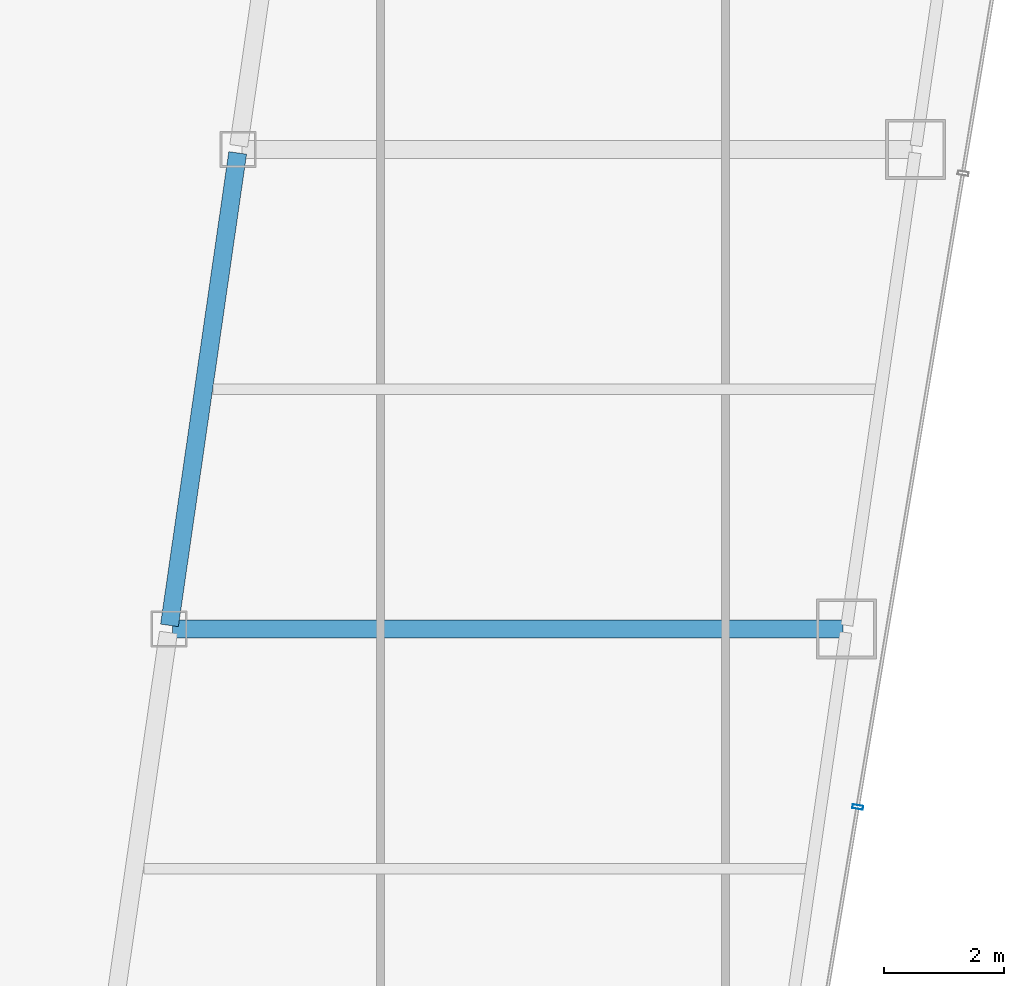
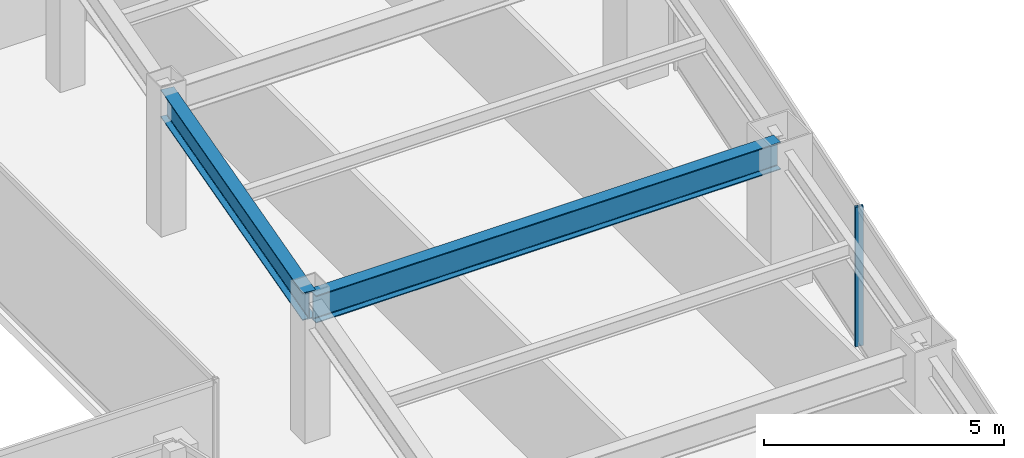
# One storey, part 16 of 36: 2 beams, 1 member, 1 element without a shape of its own.
"""IFC4 building model written with IfcOpenShell, lengths in metres."""

from ifc_helpers import new_model, si_unit, direction, frame, origin, origin_2d, place, context, subcontext, project, spatial, hollow_rectangle, i_section, extrude, material, material_profile, profile_set, type_object, element, aggregate, save


model = new_model("IFC4")

# Units and contexts
model_context = context("Model", 3, precision=1e-05, world=origin(), true_north=direction((0.0, 1.0)))
body_context = subcontext(model_context, "Body", "Model", "MODEL_VIEW")
ifc_project = project(units=[si_unit("LENGTHUNIT", "METRE"), si_unit("AREAUNIT", "SQUARE_METRE"), si_unit("VOLUMEUNIT", "CUBIC_METRE"), si_unit("PLANEANGLEUNIT", "RADIAN"), si_unit("MASSUNIT", "GRAM", prefix="KILO")], contexts=[model_context])

# Site, building, storey
site_placement = place(None, origin())
site = spatial("IfcSite", under=ifc_project, at=site_placement, CompositionType="ELEMENT")
building_placement = place(site_placement, origin())
building = spatial("IfcBuilding", under=site, at=building_placement, Name="Saevonmaru Cultural Tower", CompositionType="ELEMENT")
storey_placement = place(building_placement, frame((0.0, 0.0, 152.39990234375)))
storey = spatial("IfcBuildingStorey", under=building, at=storey_placement, Name="L33", CompositionType="ELEMENT", Elevation=152.39990234375)

# Beams
ifc_material_1 = material(Name="Steel SM355", Category="steel")
ifc_material_profile_1 = material_profile(ifc_material_1, i_section(OverallWidth=0.300048828125, OverallDepth=0.699951171875, WebThickness=0.012939453125, FlangeThickness=0.02392578125, FilletRadius=0.02587890625, at=origin_2d()), Name="H-700x300x13x24")
ifc_profile_set_1 = profile_set([ifc_material_profile_1], Name="Steel SM355")
beam_type = type_object("IfcBeamType", Name="BM-G-H700", PredefinedType="BEAM", material=ifc_profile_set_1)
beam_1_placement = place(storey_placement, frame((39.236572265625, 24.059326171875, 3.2001953125), z_axis=(0.142902032203, 0.989736838353, 0.0), x_axis=(-0.989736838353, 0.142902032203, 0.0)))
element("IfcBeam", 1, at=beam_1_placement, inside=storey, type_object=beam_type, Name="L33 East Atrium Girder 3", PredefinedType="BEAM", context=body_context, shape_type="SweptSolid", body=[
    extrude(i_section(OverallWidth=0.300048828125, OverallDepth=0.699951171875, WebThickness=0.012939453125, FlangeThickness=0.02392578125, FilletRadius=0.02587890625, at=origin_2d()), origin(), (0.0, 0.0, 1.0), 7.963134765625),
])
beam_2_placement = place(storey_placement, frame((39.2880859375, 24.0, 3.2001953125), z_axis=(1.0, 0.0, 0.0), x_axis=(0.0, 1.0, 0.0)))
element("IfcBeam", 2, at=beam_2_placement, inside=storey, type_object=beam_type, Name="L33 East Wing Transverse Girder 3", PredefinedType="BEAM", context=body_context, shape_type="SweptSolid", body=[
    extrude(i_section(OverallWidth=0.300048828125, OverallDepth=0.699951171875, WebThickness=0.012939453125, FlangeThickness=0.02392578125, FilletRadius=0.02587890625, at=origin_2d()), origin(), (0.0, 0.0, 1.0), 11.179931640625),
])

# Curtain wall, member
ifc_material_2 = material(Name="Satin Bronze Anodised Aluminium", Category="aluminium")
curtain_wall_type = type_object("IfcCurtainWallType", Name="CW-TYP-A", PredefinedType="NOTDEFINED", material=ifc_material_2)
curtain_wall_placement = place(storey_placement, origin())
curtain_wall = element("IfcCurtainWall", 3, at=curtain_wall_placement, inside=storey, type_object=curtain_wall_type, Name="L33 Unitised Curtain Wall E8", PredefinedType="NOTDEFINED")
ifc_material_profile_2 = material_profile(ifc_material_2, hollow_rectangle(XDim=0.06494140625, YDim=0.179931640625, WallThickness=0.00390625, at=origin_2d()), Name="ALU-MULL-180x65x4")
ifc_profile_set_2 = profile_set([ifc_material_profile_2], Name="Satin Bronze Anodised Aluminium")
member_type = type_object("IfcMemberType", Name="ML-CW-180x65", PredefinedType="MULLION", material=ifc_profile_set_2)
member_placement = place(storey_placement, frame((50.71826171875, 21.029541015625, 0.0), z_axis=(0.0, 0.0, 1.0), x_axis=(0.163998702345, 0.986460554523, 0.0)))
member = element("IfcMember", 4, at=member_placement, type_object=member_type, Name="CW-TW-L33-E8 mullion 2", PredefinedType="MULLION", context=body_context, shape_type="SweptSolid", body=[
    extrude(hollow_rectangle(XDim=0.06494140625, YDim=0.179931640625, WallThickness=0.00390625, at=origin_2d()), origin(), (0.0, 0.0, 1.0), 3.550048828125),
])
aggregate(curtain_wall, [member])

save(model, "model.ifc")
